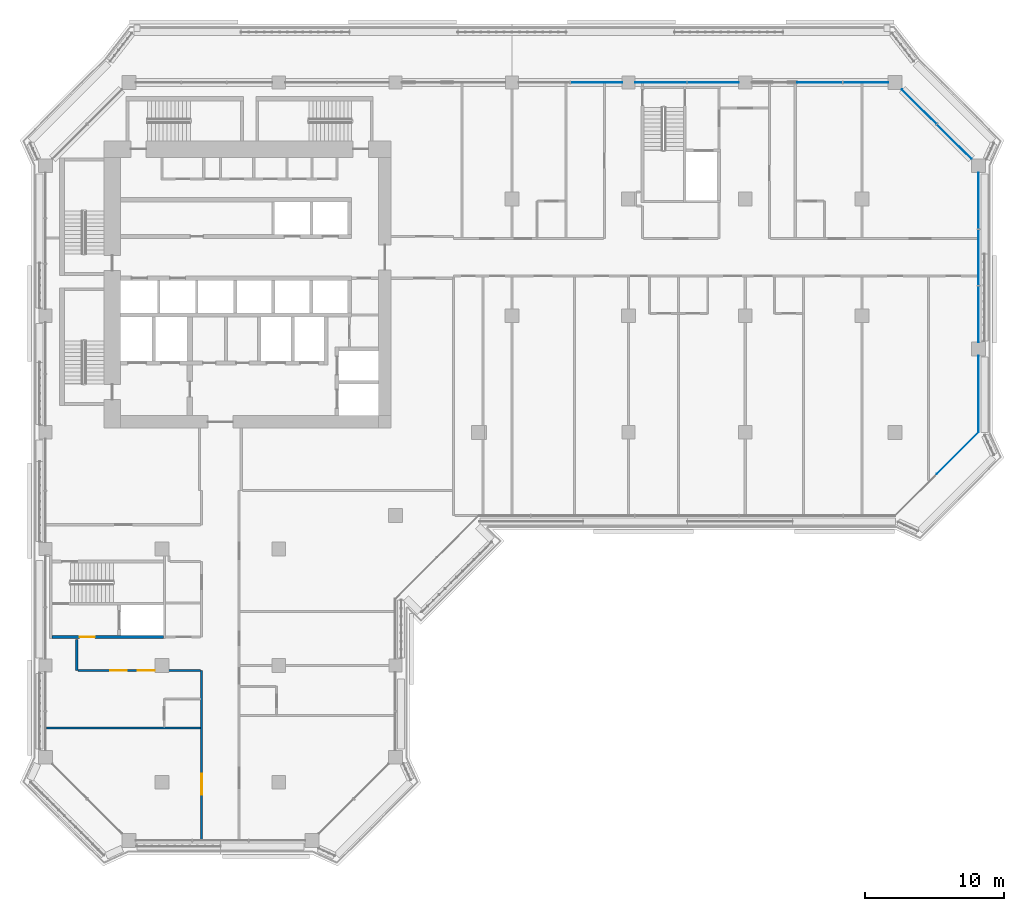
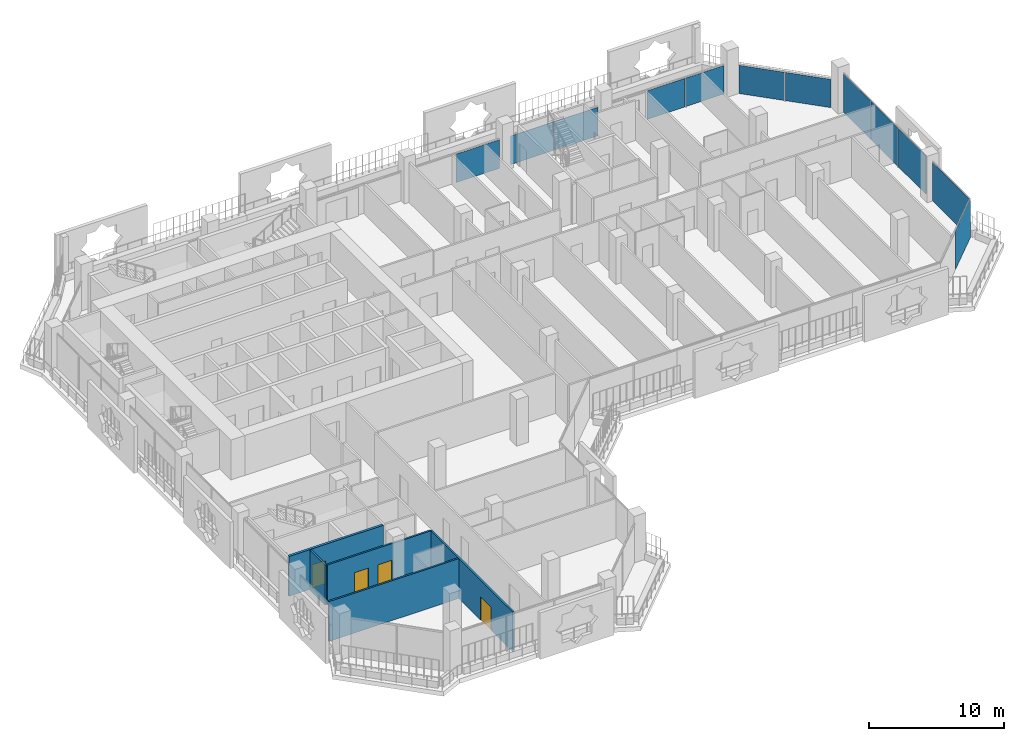
# One storey, part 9 of 22: 12 plates, 5 walls, 4 doors, 4 openings, 4 elements without a shape of their own.
"""IFC4 building model written with IfcOpenShell, lengths in metres."""

from ifc_helpers import new_model, si_unit, direction, frame, frame_2d, origin, origin_2d, place, context, subcontext, project, spatial, rectangle, extrude, material, layer, layer_set, type_object, element, fill, aggregate, save


model = new_model("IFC4")

# Units and contexts
model_context = context("Model", 3, precision=1e-05, world=origin(), true_north=direction((0.0, 1.0)))
body_context = subcontext(model_context, "Body", "Model", "MODEL_VIEW")
ifc_project = project(units=[si_unit("LENGTHUNIT", "METRE"), si_unit("AREAUNIT", "SQUARE_METRE"), si_unit("VOLUMEUNIT", "CUBIC_METRE"), si_unit("PLANEANGLEUNIT", "RADIAN"), si_unit("MASSUNIT", "GRAM", prefix="KILO")], contexts=[model_context])

# Site, building, storey
site_placement = place(None, origin())
site = spatial("IfcSite", under=ifc_project, at=site_placement, CompositionType="ELEMENT")
building_placement = place(site_placement, origin())
building = spatial("IfcBuilding", under=site, at=building_placement, Name="Kawkab Arch Medical Tower", CompositionType="ELEMENT")
storey_placement = place(building_placement, frame((0.0, 0.0, 196.199951171875)))
storey = spatial("IfcBuildingStorey", under=building, at=storey_placement, Name="L45", CompositionType="ELEMENT", Elevation=196.199951171875)

# Curtain wall, plates
ifc_material_1 = material(Name="Bronze anodised aluminium curtain wall frame", Category="aluminium")
ifc_layer_1 = layer(ifc_material_1, 0.159912109375)
ifc_layer_set_1 = layer_set([ifc_layer_1], Name="Bronze anodised aluminium curtain wall frame")
curtain_wall_type_1 = type_object("IfcCurtainWallType", Name="CW1 ward curtain wall", PredefinedType="NOTDEFINED", material=ifc_layer_set_1)
placement = place(storey_placement, origin())
curtain_wall_1 = element("IfcCurtainWall", 1, at=placement, inside=storey, type_object=curtain_wall_type_1, Name="CW1 Ward curtain wall R09", PredefinedType="NOTDEFINED")
ifc_material_2 = material(Name="Tinted insulating glass, bronze low-e coating", Category="glass")
ifc_layer_2 = layer(ifc_material_2, 0.031982421875)
ifc_layer_set_2 = layer_set([ifc_layer_2], Name="Tinted insulating glass, bronze low-e coating")
plate_type_1 = type_object("IfcPlateType", Name="CW1 glazing unit 32", PredefinedType="CURTAIN_PANEL", material=ifc_layer_set_2)
plate_1_placement = place(storey_placement, frame((67.199951171875, -22.449951171875, 0.0), z_axis=(0.0, 0.0, 1.0), x_axis=(0.0, 1.0, 0.0)))
plate_1 = element("IfcPlate", 2, at=plate_1_placement, type_object=plate_type_1, Name="CW1 glazing unit 1.1", PredefinedType="CURTAIN_PANEL", context=body_context, shape_type="SweptSolid", body=[
    extrude(rectangle(XDim=5.5, YDim=0.031982421875, at=origin_2d()), origin(), (0.0, 0.0, 1.0), 3.47998046875),
])
plate_2_placement = place(storey_placement, frame((67.199951171875, -16.681640625, 0.0), z_axis=(0.0, 0.0, 1.0), x_axis=(0.0, 1.0, 0.0)))
plate_2 = element("IfcPlate", 3, at=plate_2_placement, type_object=plate_type_1, Name="CW1 glazing unit 2.1", PredefinedType="CURTAIN_PANEL", context=body_context, shape_type="SweptSolid", body=[
    extrude(rectangle(XDim=4.03662109375, YDim=0.031982421875, at=origin_2d()), origin(), (0.0, 0.0, 1.0), 3.47998046875),
])
plate_3_placement = place(storey_placement, frame((67.199951171875, -12.60009765625, 0.0), z_axis=(0.0, 0.0, 1.0), x_axis=(0.0, 1.0, 0.0)))
plate_3 = element("IfcPlate", 4, at=plate_3_placement, type_object=plate_type_1, Name="CW1 glazing unit 2.2", PredefinedType="CURTAIN_PANEL", context=body_context, shape_type="SweptSolid", body=[
    extrude(rectangle(XDim=4.006591796875, YDim=0.031982421875, at=origin_2d()), origin(), (0.0, 0.0, 1.0), 3.47998046875),
])
plate_4_placement = place(storey_placement, frame((67.199951171875, -8.518310546875, 0.0), z_axis=(0.0, 0.0, 1.0), x_axis=(0.0, 1.0, 0.0)))
plate_4 = element("IfcPlate", 5, at=plate_4_placement, type_object=plate_type_1, Name="CW1 glazing unit 2.3", PredefinedType="CURTAIN_PANEL", context=body_context, shape_type="SweptSolid", body=[
    extrude(rectangle(XDim=4.03662109375, YDim=0.031982421875, at=origin_2d()), origin(), (0.0, 0.0, 1.0), 3.47998046875),
])
aggregate(curtain_wall_1, [plate_1, plate_2, plate_3, plate_4])

curtain_wall_2 = element("IfcCurtainWall", 6, at=placement, inside=storey, type_object=curtain_wall_type_1, Name="CW1 Ward curtain wall R11", PredefinedType="NOTDEFINED")
plate_5_placement = place(storey_placement, frame((59.077392578125, 0.0, 0.0), z_axis=(0.0, 0.0, 1.0), x_axis=(-1.0, 0.0, 0.0)))
plate_5 = element("IfcPlate", 7, at=plate_5_placement, type_object=plate_type_1, Name="CW1 glazing unit 1.1", PredefinedType="CURTAIN_PANEL", context=body_context, shape_type="SweptSolid", body=[
    extrude(rectangle(XDim=3.2451171875, YDim=0.031982421875, at=origin_2d()), origin(), (0.0, 0.0, 1.0), 2.580078125),
])
plate_6_placement = place(storey_placement, frame((55.7724609375, 0.0, 0.0), z_axis=(0.0, 0.0, 1.0), x_axis=(-1.0, 0.0, 0.0)))
plate_6 = element("IfcPlate", 8, at=plate_6_placement, type_object=plate_type_1, Name="CW1 glazing unit 1.2", PredefinedType="CURTAIN_PANEL", context=body_context, shape_type="SweptSolid", body=[
    extrude(rectangle(XDim=3.2451171875, YDim=0.031982421875, at=origin_2d()), origin(), (0.0, 0.0, 1.0), 2.580078125),
])
plate_7_placement = place(storey_placement, frame((48.077392578125, 0.0, 0.0), z_axis=(0.0, 0.0, 1.0), x_axis=(-1.0, 0.0, 0.0)))
plate_7 = element("IfcPlate", 9, at=plate_7_placement, type_object=plate_type_1, Name="CW1 glazing unit 2.1", PredefinedType="CURTAIN_PANEL", context=body_context, shape_type="SweptSolid", body=[
    extrude(rectangle(XDim=3.695068359375, YDim=0.031982421875, at=origin_2d()), origin(), (0.0, 0.0, 1.0), 2.580078125),
])
plate_8_placement = place(storey_placement, frame((44.322509765625, 0.0, 0.0), z_axis=(0.0, 0.0, 1.0), x_axis=(-1.0, 0.0, 0.0)))
plate_8 = element("IfcPlate", 10, at=plate_8_placement, type_object=plate_type_1, Name="CW1 glazing unit 2.2", PredefinedType="CURTAIN_PANEL", context=body_context, shape_type="SweptSolid", body=[
    extrude(rectangle(XDim=3.695068359375, YDim=0.031982421875, at=origin_2d()), origin(), (0.0, 0.0, 1.0), 2.580078125),
])
plate_9_placement = place(storey_placement, frame((39.677490234375, 0.0, 0.0), z_axis=(0.0, 0.0, 1.0), x_axis=(-1.0, 0.0, 0.0)))
plate_9 = element("IfcPlate", 11, at=plate_9_placement, type_object=plate_type_1, Name="CW1 glazing unit 3.1", PredefinedType="CURTAIN_PANEL", context=body_context, shape_type="SweptSolid", body=[
    extrude(rectangle(XDim=3.695068359375, YDim=0.031982421875, at=origin_2d()), origin(), (0.0, 0.0, 1.0), 2.580078125),
])
aggregate(curtain_wall_2, [plate_5, plate_6, plate_7, plate_8, plate_9])

# Curtain wall, plate
ifc_material_3 = material(Name="Bronze anodised aluminium curtain wall frame", Category="aluminium")
ifc_layer_3 = layer(ifc_material_3, 0.159912109375)
ifc_layer_set_3 = layer_set([ifc_layer_3], Name="Bronze anodised aluminium curtain wall frame")
curtain_wall_type_2 = type_object("IfcCurtainWallType", Name="CW2 chamfer curtain wall", PredefinedType="NOTDEFINED", material=ifc_layer_set_3)
curtain_wall_3 = element("IfcCurtainWall", 12, at=placement, inside=storey, type_object=curtain_wall_type_2, Name="CW2 Chamfer curtain wall R08", PredefinedType="NOTDEFINED")
ifc_material_4 = material(Name="Tinted insulating glass, bronze low-e coating", Category="glass")
ifc_layer_4 = layer(ifc_material_4, 0.031982421875)
ifc_layer_set_4 = layer_set([ifc_layer_4], Name="Tinted insulating glass, bronze low-e coating")
plate_type_2 = type_object("IfcPlateType", Name="CW2 glazing unit 32", PredefinedType="CURTAIN_PANEL", material=ifc_layer_set_4)
plate_10_placement = place(storey_placement, frame((65.699951171875, -26.699951171875, 0.0), z_axis=(0.0, 0.0, 1.0), x_axis=(0.707106781187, 0.707106781187, 0.0)))
plate_10 = element("IfcPlate", 13, at=plate_10_placement, type_object=plate_type_2, Name="CW2 glazing unit 2.1", PredefinedType="CURTAIN_PANEL", context=body_context, shape_type="SweptSolid", body=[
    extrude(rectangle(XDim=4.24267578125, YDim=0.031982421875, at=origin_2d()), origin(), (0.0, 0.0, 1.0), 3.4599609375),
])
aggregate(curtain_wall_3, [plate_10])

# Curtain wall, plates
curtain_wall_4 = element("IfcCurtainWall", 14, at=placement, inside=storey, type_object=curtain_wall_type_2, Name="CW2 Chamfer curtain wall R10", PredefinedType="NOTDEFINED")
plate_11_placement = place(storey_placement, frame((65.460693359375, -4.260498046875, 0.0), z_axis=(0.0, 0.0, 1.0), x_axis=(-0.707106781187, 0.707106781187, 0.0)))
plate_11 = element("IfcPlate", 15, at=plate_11_placement, type_object=plate_type_2, Name="CW2 glazing unit 1.1", PredefinedType="CURTAIN_PANEL", context=body_context, shape_type="SweptSolid", body=[
    extrude(rectangle(XDim=3.505615234375, YDim=0.031982421875, at=origin_2d()), origin(), (0.0, 0.0, 1.0), 2.56005859375),
])
plate_12_placement = place(storey_placement, frame((62.939453125, -1.739501953125, 0.0), z_axis=(0.0, 0.0, 1.0), x_axis=(-0.707106781187, 0.707106781187, 0.0)))
plate_12 = element("IfcPlate", 16, at=plate_12_placement, type_object=plate_type_2, Name="CW2 glazing unit 1.2", PredefinedType="CURTAIN_PANEL", context=body_context, shape_type="SweptSolid", body=[
    extrude(rectangle(XDim=3.505615234375, YDim=0.031982421875, at=origin_2d()), origin(), (0.0, 0.0, 1.0), 2.56005859375),
])
aggregate(curtain_wall_4, [plate_11, plate_12])

# Wall
ifc_material_5 = material(Name="Gypsum board partition on steel studs, mineral wool", Category="steel")
ifc_layer_5 = layer(ifc_material_5, 0.14990234375)
ifc_layer_set_5 = layer_set([ifc_layer_5], Name="Gypsum board partition on steel studs, mineral wool")
wall_type_1 = type_object("IfcWallType", Name="Partition 150", PredefinedType="PARTITIONING", material=ifc_layer_set_5)
wall_1_placement = place(storey_placement, frame((0.080078125, -46.5, 0.0), z_axis=(0.0, 0.0, 1.0), x_axis=(1.0, 0.0, 0.0)))
element("IfcWall", 17, at=wall_1_placement, inside=storey, type_object=wall_type_1, Name="Partition 150 w015", PredefinedType="PARTITIONING", context=body_context, shape_type="SweptSolid", body=[
    extrude(rectangle(XDim=11.094970703125, YDim=0.14990234375, at=frame_2d((5.54736328125, 0.0))), origin(), (0.0, 0.0, 1.0), 3.60009765625),
])

# Wall, openings, doors
wall_2_placement = place(storey_placement, frame((2.326904296875, -42.35009765625, 0.0), z_axis=(0.0, 0.0, 1.0), x_axis=(1.0, 0.0, 0.0)))
wall_2 = element("IfcWall", 18, at=wall_2_placement, inside=storey, type_object=wall_type_1, Name="Partition 150 w017", PredefinedType="PARTITIONING", context=body_context, shape_type="SweptSolid", body=[
    extrude(rectangle(XDim=8.84814453125, YDim=0.14990234375, at=frame_2d((4.424072265625, 0.0))), origin(), (0.0, 0.0, 1.0), 3.60009765625),
])
opening_1_placement = place(wall_2_placement, frame((4.323974609375, 0.0, 0.0)))
opening_1 = element("IfcOpeningElement", 19, at=opening_1_placement, cuts=wall_2, Name="Opening W40-034", PredefinedType="OPENING", context=body_context, shape_type="SweptSolid", body=[
    extrude(rectangle(XDim=1.199951171875, YDim=2.10009765625, at=frame_2d((0.60009765625, 1.050048828125))), frame((0.0, 0.0849609375, 0.0), z_axis=(0.0, -1.0, 0.0), x_axis=(1.0, 0.0, 0.0)), (0.0, 0.0, 1.0), 0.169921875),
])
opening_2_placement = place(wall_2_placement, frame((2.323974609375, 0.0, 0.0)))
opening_2 = element("IfcOpeningElement", 20, at=opening_2_placement, cuts=wall_2, Name="Opening W40-035", PredefinedType="OPENING", context=body_context, shape_type="SweptSolid", body=[
    extrude(rectangle(XDim=1.199951171875, YDim=2.10009765625, at=frame_2d((0.60009765625, 1.050048828125))), frame((0.0, 0.0849609375, 0.0), z_axis=(0.0, -1.0, 0.0), x_axis=(1.0, 0.0, 0.0)), (0.0, 0.0, 1.0), 0.169921875),
])
ifc_material_6 = material(Name="Hollow metal door leaf")
door_type_1 = type_object("IfcDoorType", Name="Single door 1200x2100 FD30S", OperationType="NOTDEFINED", PredefinedType="DOOR", material=ifc_material_6)
door_1_placement = place(opening_1_placement, origin())
door_1 = element("IfcDoor", 21, at=door_1_placement, inside=storey, type_object=door_type_1, Name="Door W40-034", OperationType="SINGLE_SWING_LEFT", OverallHeight=2.10009765625, OverallWidth=1.199951171875, PredefinedType="DOOR", context=body_context, shape_type="SweptSolid", body=[
    extrude(rectangle(XDim=1.199951171875, YDim=2.10009765625, at=frame_2d((0.60009765625, 1.050048828125))), frame((0.0, 0.02490234375, 0.0), z_axis=(0.0, -1.0, 0.0), x_axis=(1.0, 0.0, 0.0)), (0.0, 0.0, 1.0), 0.050048828125),
])
fill(opening_1, door_1)
door_2_placement = place(opening_2_placement, origin())
door_2 = element("IfcDoor", 22, at=door_2_placement, inside=storey, type_object=door_type_1, Name="Door W40-035", OperationType="SINGLE_SWING_RIGHT", OverallHeight=2.10009765625, OverallWidth=1.199951171875, PredefinedType="DOOR", context=body_context, shape_type="SweptSolid", body=[
    extrude(rectangle(XDim=1.199951171875, YDim=2.10009765625, at=frame_2d((0.60009765625, 1.050048828125))), frame((0.0, 0.02490234375, 0.0), z_axis=(0.0, -1.0, 0.0), x_axis=(1.0, 0.0, 0.0)), (0.0, 0.0, 1.0), 0.050048828125),
])
fill(opening_2, door_2)

# Wall
wall_3_placement = place(storey_placement, frame((2.25, -42.34912109375, 0.0), z_axis=(0.0, 0.0, 1.0), x_axis=(0.0, 1.0, 0.0)))
element("IfcWall", 23, at=wall_3_placement, inside=storey, type_object=wall_type_1, Name="Partition 150 w037", PredefinedType="PARTITIONING", context=body_context, shape_type="SweptSolid", body=[
    extrude(rectangle(XDim=2.21923828125, YDim=0.14990234375, at=frame_2d((1.109619140625, 0.0))), origin(), (0.0, 0.0, 1.0), 3.60009765625),
])

# Wall, opening, door
wall_4_placement = place(storey_placement, frame((11.25, -54.52001953125, 0.0), z_axis=(0.0, 0.0, 1.0), x_axis=(0.0, 1.0, 0.0)))
wall_4 = element("IfcWall", 24, at=wall_4_placement, inside=storey, type_object=wall_type_1, Name="Partition 150 w040", PredefinedType="PARTITIONING", context=body_context, shape_type="SweptSolid", body=[
    extrude(rectangle(XDim=12.169921875, YDim=0.14990234375, at=frame_2d((6.0849609375, 0.0))), origin(), (0.0, 0.0, 1.0), 3.60009765625),
])
opening_3_placement = place(wall_4_placement, frame((3.219970703125, 0.0, 0.0)))
opening_3 = element("IfcOpeningElement", 25, at=opening_3_placement, cuts=wall_4, Name="Opening W40-003", PredefinedType="OPENING", context=body_context, shape_type="SweptSolid", body=[
    extrude(rectangle(XDim=1.5, YDim=2.10009765625, at=frame_2d((0.75, 1.050048828125))), frame((0.0, 0.0849609375, 0.0), z_axis=(0.0, -1.0, 0.0), x_axis=(1.0, 0.0, 0.0)), (0.0, 0.0, 1.0), 0.169921875),
])
ifc_material_7 = material(Name="Hollow metal door leaf")
door_type_2 = type_object("IfcDoorType", Name="Double door 1500x2100 FD30S", OperationType="NOTDEFINED", PredefinedType="DOOR", material=ifc_material_7)
door_3_placement = place(opening_3_placement, origin())
door_3 = element("IfcDoor", 26, at=door_3_placement, inside=storey, type_object=door_type_2, Name="Door W40-003", OperationType="DOUBLE_DOOR_SINGLE_SWING", OverallHeight=2.10009765625, OverallWidth=1.5, PredefinedType="DOOR", context=body_context, shape_type="SweptSolid", body=[
    extrude(rectangle(XDim=1.5, YDim=2.10009765625, at=frame_2d((0.75, 1.050048828125))), frame((0.0, 0.02490234375, 0.0), z_axis=(0.0, -1.0, 0.0), x_axis=(1.0, 0.0, 0.0)), (0.0, 0.0, 1.0), 0.050048828125),
])
fill(opening_3, door_3)

ifc_material_8 = material(Name="Concrete C50/60", Category="concrete")
ifc_layer_6 = layer(ifc_material_8, 0.199951171875)
ifc_layer_set_6 = layer_set([ifc_layer_6], Name="Concrete C50/60")
wall_type_2 = type_object("IfcWallType", Name="Stair enclosure wall 200 C50/60", PredefinedType="SHEAR", material=ifc_layer_set_6)
wall_5_placement = place(storey_placement, frame((0.449951171875, -39.949951171875, 0.0), z_axis=(0.0, 0.0, 1.0), x_axis=(1.0, 0.0, 0.0)))
wall_5 = element("IfcWall", 27, at=wall_5_placement, inside=storey, type_object=wall_type_2, Name="L45 stair enclosure wall", PredefinedType="SHEAR", context=body_context, shape_type="SweptSolid", body=[
    extrude(rectangle(XDim=8.050048828125, YDim=0.199951171875, at=frame_2d((4.02490234375, 0.0))), origin(), (0.0, 0.0, 1.0), 3.60009765625),
])
opening_4_placement = place(wall_5_placement, frame((2.0, 0.0, 0.0)))
opening_4 = element("IfcOpeningElement", 28, at=opening_4_placement, cuts=wall_5, Name="Opening FD", PredefinedType="OPENING", context=body_context, shape_type="SweptSolid", body=[
    extrude(rectangle(XDim=1.10009765625, YDim=2.10009765625, at=frame_2d((0.550048828125, 1.050048828125))), frame((0.0, 0.10986328125, 0.0), z_axis=(0.0, -1.0, 0.0), x_axis=(1.0, 0.0, 0.0)), (0.0, 0.0, 1.0), 0.219970703125),
])
ifc_material_9 = material(Name="Hollow metal fire door leaf")
door_type_3 = type_object("IfcDoorType", Name="Firefighting lobby door 1100", OperationType="SINGLE_SWING_LEFT", PredefinedType="DOOR", material=ifc_material_9)
door_4_placement = place(opening_4_placement, origin())
door_4 = element("IfcDoor", 29, at=door_4_placement, inside=storey, type_object=door_type_3, Name="L45 Service lift lobby door SV2", OperationType="SINGLE_SWING_LEFT", OverallHeight=2.10009765625, OverallWidth=1.10009765625, PredefinedType="DOOR", context=body_context, shape_type="SweptSolid", body=[
    extrude(rectangle(XDim=1.10009765625, YDim=2.10009765625, at=frame_2d((0.550048828125, 1.050048828125))), frame((0.0, 0.02490234375, 0.0), z_axis=(0.0, -1.0, 0.0), x_axis=(1.0, 0.0, 0.0)), (0.0, 0.0, 1.0), 0.050048828125),
])
fill(opening_4, door_4)

save(model, "model.ifc")
